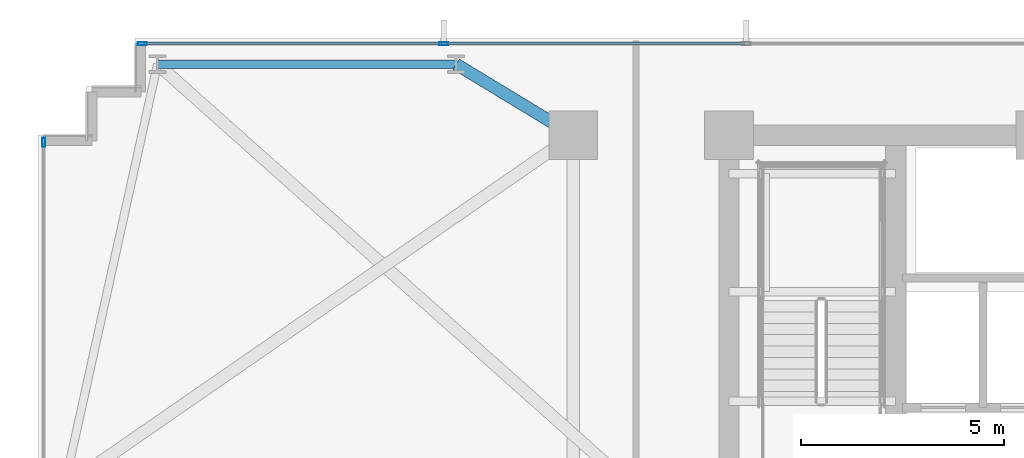
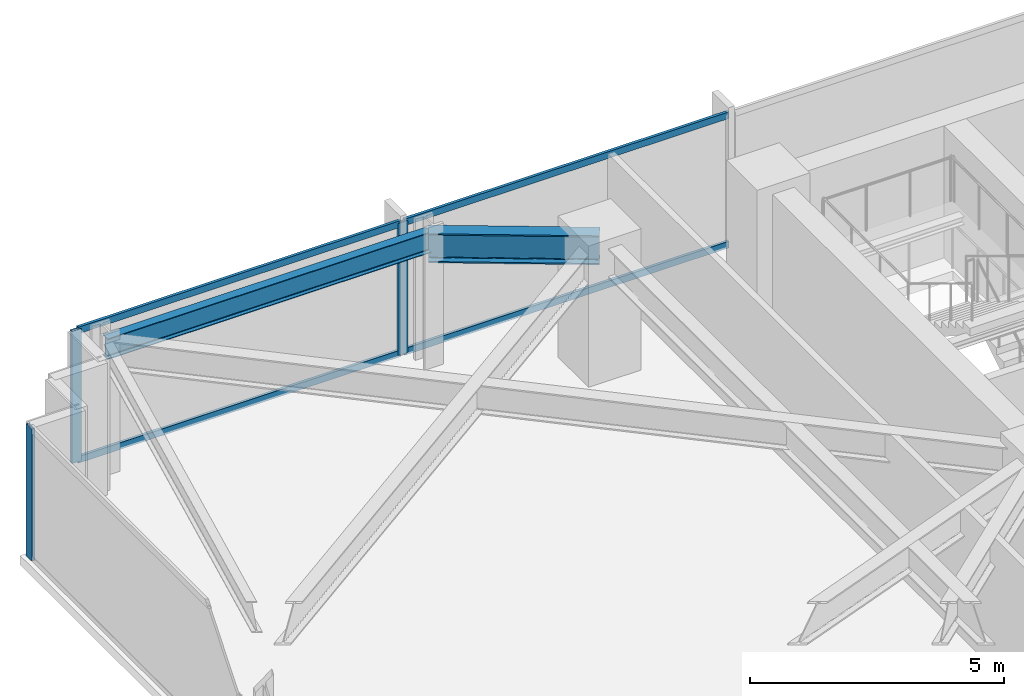
# One storey, part 17 of 33: 7 members, 2 beams, 2 elements without a shape of their own.
"""IFC4 building model written with IfcOpenShell, lengths in metres."""

from ifc_helpers import new_model, si_unit, direction, frame, origin, origin_2d, place, context, subcontext, project, spatial, hollow_rectangle, i_section, extrude, material, material_profile, profile_set, type_object, element, aggregate, save


model = new_model("IFC4")

# Units and contexts
model_context = context("Model", 3, precision=1e-05, world=origin(), true_north=direction((0.0, 1.0)))
body_context = subcontext(model_context, "Body", "Model", "MODEL_VIEW")
ifc_project = project(units=[si_unit("LENGTHUNIT", "METRE"), si_unit("AREAUNIT", "SQUARE_METRE"), si_unit("VOLUMEUNIT", "CUBIC_METRE"), si_unit("PLANEANGLEUNIT", "RADIAN"), si_unit("MASSUNIT", "GRAM", prefix="KILO")], contexts=[model_context])

# Site, building, storey
site_placement = place(None, origin())
site = spatial("IfcSite", under=ifc_project, at=site_placement, CompositionType="ELEMENT")
building_placement = place(site_placement, origin())
building = spatial("IfcBuilding", under=site, at=building_placement, Name="Yelkora Congress Tower", CompositionType="ELEMENT")
storey_placement = place(building_placement, frame((0.0, 0.0, 71.199951171875)))
storey = spatial("IfcBuildingStorey", under=building, at=storey_placement, Name="L18", CompositionType="ELEMENT", Elevation=71.199951171875)

# Beams
ifc_material_1 = material(Name="Steel S355J2", Category="steel")
ifc_material_profile_1 = material_profile(ifc_material_1, i_section(OverallWidth=0.300048828125, OverallDepth=0.699951171875, WebThickness=0.01708984375, FlangeThickness=0.031982421875, FilletRadius=0.027099609375, at=origin_2d()), Name="HEB 700")
ifc_profile_set_1 = profile_set([ifc_material_profile_1], Name="Steel S355J2")
beam_type_1 = type_object("IfcBeamType", Name="BM-GIRD-HEB700", PredefinedType="BEAM", material=ifc_profile_set_1)
beam_1_placement = place(storey_placement, frame((16.3125, 47.949951171875, 2.830078125), z_axis=(0.855193946581, -0.518308126244, 0.0), x_axis=(0.518308126244, 0.855193946581, 0.0)))
element("IfcBeam", 1, at=beam_1_placement, inside=storey, type_object=beam_type_1, Name="L18 Primary Frame Girder N02", PredefinedType="BEAM", context=body_context, shape_type="SweptSolid", body=[
    extrude(i_section(OverallWidth=0.300048828125, OverallDepth=0.699951171875, WebThickness=0.01708984375, FlangeThickness=0.031982421875, FilletRadius=0.027099609375, at=origin_2d()), origin(), (0.0, 0.0, 1.0), 3.37646484375),
])
ifc_material_profile_2 = material_profile(ifc_material_1, i_section(OverallWidth=0.199951171875, OverallDepth=0.5, WebThickness=0.01025390625, FlangeThickness=0.01611328125, FilletRadius=0.02099609375, at=origin_2d()), Name="IPE 500")
ifc_profile_set_2 = profile_set([ifc_material_profile_2], Name="Steel S355J2")
beam_type_2 = type_object("IfcBeamType", Name="BM-SPAN-IPE500", PredefinedType="SPANDREL", material=ifc_profile_set_2)
beam_2_placement = place(storey_placement, frame((16.3125, 47.949951171875, 2.929931640625), z_axis=(-1.0, 0.0, 0.0), x_axis=(0.0, -1.0, 0.0)))
element("IfcBeam", 2, at=beam_2_placement, inside=storey, type_object=beam_type_2, Name="L18 Perimeter Beam 16", PredefinedType="SPANDREL", context=body_context, shape_type="SweptSolid", body=[
    extrude(i_section(OverallWidth=0.199951171875, OverallDepth=0.5, WebThickness=0.01025390625, FlangeThickness=0.01611328125, FilletRadius=0.02099609375, at=origin_2d()), origin(), (0.0, 0.0, 1.0), 7.362548828125),
])

# Curtain wall, member
ifc_material_2 = material(Name="Anodised aluminium and insulated glass", Category="aluminium")
curtain_wall_type = type_object("IfcCurtainWallType", Name="CW-SYS-B1", PredefinedType="NOTDEFINED", material=ifc_material_2)
curtain_wall_1_placement = place(storey_placement, origin())
curtain_wall_1 = element("IfcCurtainWall", 3, at=curtain_wall_1_placement, inside=storey, type_object=curtain_wall_type, Name="L18 Unitised Curtain Wall 5", PredefinedType="NOTDEFINED")
ifc_material_3 = material(Name="Anodised aluminium 6063-T6", Category="aluminium")
ifc_material_profile_3 = material_profile(ifc_material_3, hollow_rectangle(XDim=0.074951171875, YDim=0.219970703125, WallThickness=0.0048828125, at=origin_2d()), Name="ALU 75x220x5")
ifc_profile_set_3 = profile_set([ifc_material_profile_3], Name="Anodised aluminium 6063-T6")
member_type_1 = type_object("IfcMemberType", Name="MEM-ML-B1", PredefinedType="MULLION", material=ifc_profile_set_3)
member_1_placement = place(storey_placement, frame((6.139892578125, 46.0224609375, 0.0), z_axis=(0.0, 0.0, 1.0), x_axis=(-1.0, 0.0, 0.0)))
member_1 = element("IfcMember", 4, at=member_1_placement, type_object=member_type_1, Name="CW-B1 mullion 5", PredefinedType="MULLION", context=body_context, shape_type="SweptSolid", body=[
    extrude(hollow_rectangle(XDim=0.074951171875, YDim=0.219970703125, WallThickness=0.0048828125, at=origin_2d()), origin(), (0.0, 0.0, 1.0), 3.179931640625),
])
aggregate(curtain_wall_1, [member_1])

# Curtain wall, members
curtain_wall_2_placement = place(storey_placement, origin())
curtain_wall_2 = element("IfcCurtainWall", 5, at=curtain_wall_2_placement, inside=storey, type_object=curtain_wall_type, Name="L18 Unitised Curtain Wall 10", PredefinedType="NOTDEFINED")
member_2_placement = place(storey_placement, frame((8.577392578125, 48.4599609375, 0.0), z_axis=(0.0, 0.0, 1.0), x_axis=(0.0, 1.0, 0.0)))
member_2 = element("IfcMember", 6, at=member_2_placement, type_object=member_type_1, Name="CW-B1 mullion 1", PredefinedType="MULLION", context=body_context, shape_type="SweptSolid", body=[
    extrude(hollow_rectangle(XDim=0.074951171875, YDim=0.219970703125, WallThickness=0.0048828125, at=origin_2d()), origin(), (0.0, 0.0, 1.0), 3.179931640625),
])
member_3_placement = place(storey_placement, frame((16.0048828125, 48.4599609375, 0.0), z_axis=(0.0, 0.0, 1.0), x_axis=(0.0, 1.0, 0.0)))
member_3 = element("IfcMember", 7, at=member_3_placement, type_object=member_type_1, Name="CW-B1 mullion 2", PredefinedType="MULLION", context=body_context, shape_type="SweptSolid", body=[
    extrude(hollow_rectangle(XDim=0.074951171875, YDim=0.219970703125, WallThickness=0.0048828125, at=origin_2d()), origin(), (0.0, 0.0, 1.0), 3.179931640625),
])
ifc_material_profile_4 = material_profile(ifc_material_3, hollow_rectangle(XDim=0.06494140625, YDim=0.159912109375, WallThickness=0.00390625, at=origin_2d()), Name="ALU 65x160x4")
ifc_profile_set_4 = profile_set([ifc_material_profile_4], Name="Anodised aluminium 6063-T6")
member_type_2 = type_object("IfcMemberType", Name="MEM-TR-B1", PredefinedType="USERDEFINED", material=ifc_profile_set_4)
member_4_placement = place(storey_placement, frame((8.614990234375, 48.4599609375, 0.032470703125), z_axis=(1.0, 0.0, 0.0), x_axis=(0.0, 1.0, 0.0)))
member_4 = element("IfcMember", 8, at=member_4_placement, type_object=member_type_2, Name="CW-B1 transom 1.1", ObjectType="TRANSOM", PredefinedType="USERDEFINED", context=body_context, shape_type="SweptSolid", body=[
    extrude(hollow_rectangle(XDim=0.06494140625, YDim=0.159912109375, WallThickness=0.00390625, at=origin_2d()), origin(), (0.0, 0.0, 1.0), 7.3525390625),
])
member_5_placement = place(storey_placement, frame((8.614990234375, 48.4599609375, 3.1474609375), z_axis=(1.0, 0.0, 0.0), x_axis=(0.0, 1.0, 0.0)))
member_5 = element("IfcMember", 9, at=member_5_placement, type_object=member_type_2, Name="CW-B1 transom 1.2", ObjectType="TRANSOM", PredefinedType="USERDEFINED", context=body_context, shape_type="SweptSolid", body=[
    extrude(hollow_rectangle(XDim=0.06494140625, YDim=0.159912109375, WallThickness=0.00390625, at=origin_2d()), origin(), (0.0, 0.0, 1.0), 7.3525390625),
])
member_6_placement = place(storey_placement, frame((16.04248046875, 48.4599609375, 0.032470703125), z_axis=(1.0, 0.0, 0.0), x_axis=(0.0, 1.0, 0.0)))
member_6 = element("IfcMember", 10, at=member_6_placement, type_object=member_type_2, Name="CW-B1 transom 2.1", ObjectType="TRANSOM", PredefinedType="USERDEFINED", context=body_context, shape_type="SweptSolid", body=[
    extrude(hollow_rectangle(XDim=0.06494140625, YDim=0.159912109375, WallThickness=0.00390625, at=origin_2d()), origin(), (0.0, 0.0, 1.0), 7.39013671875),
])
member_7_placement = place(storey_placement, frame((16.04248046875, 48.4599609375, 3.1474609375), z_axis=(1.0, 0.0, 0.0), x_axis=(0.0, 1.0, 0.0)))
member_7 = element("IfcMember", 11, at=member_7_placement, type_object=member_type_2, Name="CW-B1 transom 2.2", ObjectType="TRANSOM", PredefinedType="USERDEFINED", context=body_context, shape_type="SweptSolid", body=[
    extrude(hollow_rectangle(XDim=0.06494140625, YDim=0.159912109375, WallThickness=0.00390625, at=origin_2d()), origin(), (0.0, 0.0, 1.0), 7.39013671875),
])
aggregate(curtain_wall_2, [member_2, member_3, member_4, member_5, member_6, member_7])

save(model, "model.ifc")
